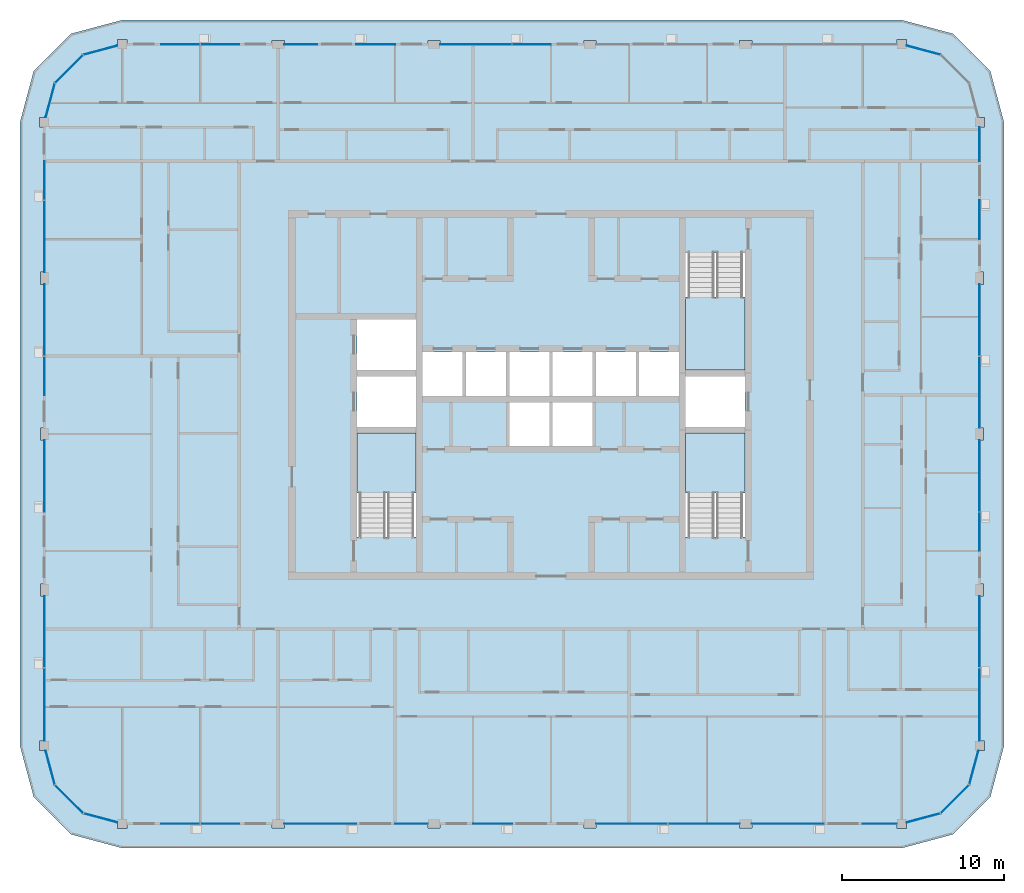
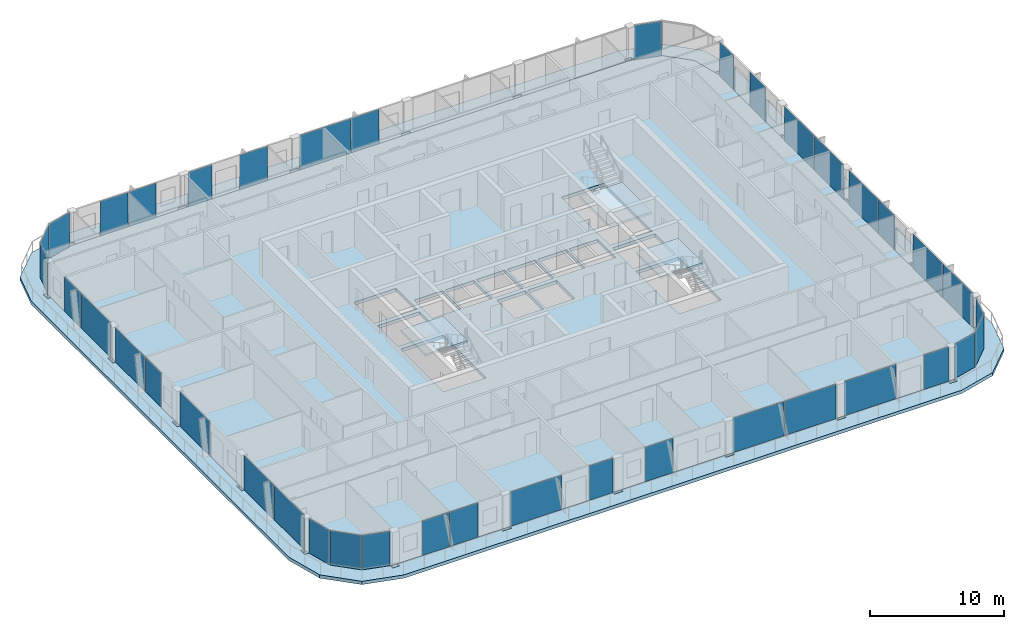
# One storey, part 7 of 22: 40 plates, 5 slabs, 23 elements without a shape of their own.
"""IFC4 building model written with IfcOpenShell, lengths in metres."""

from ifc_helpers import new_model, si_unit, direction, frame, origin, origin_2d, place, context, subcontext, project, spatial, polyline, rectangle, outline, extrude, material, layer, layer_set, type_object, element, aggregate, save


model = new_model("IFC4")

# Units and contexts
model_context = context("Model", 3, precision=1e-05, world=origin(), true_north=direction((0.0, 1.0)))
body_context = subcontext(model_context, "Body", "Model", "MODEL_VIEW")
ifc_project = project(units=[si_unit("LENGTHUNIT", "METRE"), si_unit("AREAUNIT", "SQUARE_METRE"), si_unit("VOLUMEUNIT", "CUBIC_METRE"), si_unit("PLANEANGLEUNIT", "RADIAN"), si_unit("MASSUNIT", "GRAM", prefix="KILO")], contexts=[model_context])

# Site, building, storey
site_placement = place(None, origin())
site = spatial("IfcSite", under=ifc_project, at=site_placement, CompositionType="ELEMENT")
building_placement = place(site_placement, origin())
building = spatial("IfcBuilding", under=site, at=building_placement, Name="Madar Terraces", CompositionType="ELEMENT")
storey_placement = place(building_placement, frame((0.0, 0.0, 279.10009765625)))
storey = spatial("IfcBuildingStorey", under=building, at=storey_placement, Name="L73", CompositionType="ELEMENT", Elevation=279.10009765625)

# Slabs
ifc_material_1 = material(Name="Concrete C50/60", Category="concrete")
ifc_layer_1 = layer(ifc_material_1, 0.300048828125)
ifc_layer_set_1 = layer_set([ifc_layer_1], Name="Balcony band 300")
slab_type_1 = type_object("IfcSlabType", Name="Balcony band 300", PredefinedType="FLOOR", material=ifc_layer_set_1)
slab_1_placement = place(storey_placement, frame((0.0, 0.0, -0.300048828125)))
element("IfcSlab", 1, at=slab_1_placement, inside=storey, type_object=slab_type_1, Name="Balcony band", PredefinedType="FLOOR", context=body_context, shape_type="SweptSolid", body=[
    extrude(outline(polyline([(4.800048828125, -1.5), (1.64990234375, -0.656005859375), (-0.656005859375, 1.64990234375), (-1.5, 4.800048828125), (-1.5, 43.199951171875), (-0.656005859375, 46.35009765625), (1.64990234375, 48.656005859375), (4.800048828125, 49.5), (52.800048828125, 49.5), (55.949951171875, 48.656005859375), (58.256103515625, 46.35009765625), (59.10009765625, 43.199951171875), (59.10009765625, 4.800048828125), (58.256103515625, 1.64990234375), (55.949951171875, -0.656005859375), (52.800048828125, -1.5), (4.800048828125, -1.5)]), holes=[polyline([(5.10009765625, -0.300048828125), (5.10009765625, 0.0), (14.02490234375, 0.0), (14.02490234375, -0.25), (14.77490234375, -0.25), (14.77490234375, 0.0), (23.625, 0.0), (23.625, -0.25), (24.375, -0.25), (24.375, 0.0), (33.22509765625, 0.0), (33.22509765625, -0.25), (33.97509765625, -0.25), (33.97509765625, 0.0), (42.824951171875, 0.0), (42.824951171875, -0.25), (43.574951171875, -0.25), (43.574951171875, 0.0), (52.5, 0.0), (52.5, -0.300048828125), (53.10009765625, -0.300048828125), (53.10009765625, 0.080322265625), (55.199951171875, 0.64306640625), (56.956787109375, 2.39990234375), (57.51953125, 4.5), (57.89990234375, 4.5), (57.89990234375, 5.10009765625), (57.60009765625, 5.10009765625), (57.60009765625, 14.02490234375), (57.85009765625, 14.02490234375), (57.85009765625, 14.77490234375), (57.60009765625, 14.77490234375), (57.60009765625, 23.625), (57.85009765625, 23.625), (57.85009765625, 24.375), (57.60009765625, 24.375), (57.60009765625, 33.22509765625), (57.85009765625, 33.22509765625), (57.85009765625, 33.97509765625), (57.60009765625, 33.97509765625), (57.60009765625, 42.89990234375), (57.89990234375, 42.89990234375), (57.89990234375, 43.5), (57.51953125, 43.5), (56.956787109375, 45.60009765625), (55.199951171875, 47.35693359375), (53.10009765625, 47.919677734375), (53.10009765625, 48.300048828125), (52.5, 48.300048828125), (52.5, 48.0), (43.574951171875, 48.0), (43.574951171875, 48.25), (42.824951171875, 48.25), (42.824951171875, 48.0), (33.97509765625, 48.0), (33.97509765625, 48.25), (33.22509765625, 48.25), (33.22509765625, 48.0), (24.375, 48.0), (24.375, 48.25), (23.625, 48.25), (23.625, 48.0), (14.77490234375, 48.0), (14.77490234375, 48.25), (14.02490234375, 48.25), (14.02490234375, 48.0), (5.10009765625, 48.0), (5.10009765625, 48.300048828125), (4.5, 48.300048828125), (4.5, 47.919677734375), (2.39990234375, 47.35693359375), (0.64306640625, 45.60009765625), (0.080322265625, 43.5), (-0.300048828125, 43.5), (-0.300048828125, 42.89990234375), (0.0, 42.89990234375), (0.0, 33.97509765625), (-0.25, 33.97509765625), (-0.25, 33.22509765625), (0.0, 33.22509765625), (0.0, 24.375), (-0.25, 24.375), (-0.25, 23.625), (0.0, 23.625), (0.0, 14.77490234375), (-0.25, 14.77490234375), (-0.25, 14.02490234375), (0.0, 14.02490234375), (0.0, 5.10009765625), (-0.300048828125, 5.10009765625), (-0.300048828125, 4.5), (0.080322265625, 4.5), (0.64306640625, 2.39990234375), (2.39990234375, 0.64306640625), (4.5, 0.080322265625), (4.5, -0.300048828125), (5.10009765625, -0.300048828125)])]), origin(), (0.0, 0.0, 1.0), 0.300048828125),
])
ifc_material_2 = material(Name="Concrete C50/60", Category="concrete")
ifc_layer_2 = layer(ifc_material_2, 0.300048828125)
ifc_layer_set_2 = layer_set([ifc_layer_2], Name="FS2 PT flat slab 300")
slab_type_2 = type_object("IfcSlabType", Name="FS2 PT flat slab 300", PredefinedType="FLOOR", material=ifc_layer_set_2)
slab_2_placement = place(storey_placement, frame((0.0, 0.0, -0.300048828125)))
element("IfcSlab", 2, at=slab_2_placement, inside=storey, type_object=slab_type_2, Name="Floor slab L73 (1)", PredefinedType="FLOOR", context=body_context, shape_type="SweptSolid", body=[
    extrude(outline(polyline([(52.800048828125, 0.0), (55.199951171875, 0.64306640625), (56.95703125, 2.39990234375), (57.60009765625, 4.800048828125), (57.60009765625, 43.199951171875), (56.95703125, 45.60009765625), (55.199951171875, 47.35693359375), (52.800048828125, 48.0), (4.800048828125, 48.0), (2.39990234375, 47.35693359375), (0.64306640625, 45.60009765625), (0.0, 43.199951171875), (0.0, 4.800048828125), (0.64306640625, 2.39990234375), (2.39990234375, 0.64306640625), (4.800048828125, 0.0), (52.800048828125, 0.0)]), holes=[polyline([(22.89990234375, 17.64990234375), (19.25, 17.64990234375), (19.25, 24.050048828125), (22.89990234375, 24.050048828125), (22.89990234375, 17.64990234375)]), polyline([(28.63330078125, 23.25), (28.63330078125, 25.949951171875), (31.10009765625, 25.949951171875), (31.10009765625, 23.25), (28.63330078125, 23.25)]), polyline([(19.25, 24.449951171875), (19.25, 27.550048828125), (22.89990234375, 27.550048828125), (22.89990234375, 24.449951171875), (19.25, 24.449951171875)]), polyline([(23.300048828125, 26.35009765625), (23.300048828125, 29.050048828125), (25.7666015625, 29.050048828125), (25.7666015625, 26.35009765625), (23.300048828125, 26.35009765625)]), polyline([(25.966552734375, 26.35009765625), (25.966552734375, 29.050048828125), (28.433349609375, 29.050048828125), (28.433349609375, 26.35009765625), (25.966552734375, 26.35009765625)]), polyline([(28.63330078125, 26.35009765625), (28.63330078125, 29.050048828125), (31.10009765625, 29.050048828125), (31.10009765625, 26.35009765625), (28.63330078125, 26.35009765625)]), polyline([(19.25, 27.949951171875), (19.25, 31.050048828125), (22.89990234375, 31.050048828125), (22.89990234375, 27.949951171875), (19.25, 27.949951171875)]), polyline([(43.14990234375, 17.64990234375), (39.5, 17.64990234375), (39.5, 24.050048828125), (43.14990234375, 24.050048828125), (43.14990234375, 17.64990234375)]), polyline([(31.300048828125, 23.25), (31.300048828125, 25.949951171875), (33.7666015625, 25.949951171875), (33.7666015625, 23.25), (31.300048828125, 23.25)]), polyline([(39.5, 24.449951171875), (39.5, 27.550048828125), (43.14990234375, 27.550048828125), (43.14990234375, 24.449951171875), (39.5, 24.449951171875)]), polyline([(31.300048828125, 26.35009765625), (31.300048828125, 29.050048828125), (33.7666015625, 29.050048828125), (33.7666015625, 26.35009765625), (31.300048828125, 26.35009765625)]), polyline([(33.966552734375, 26.35009765625), (33.966552734375, 29.050048828125), (36.433349609375, 29.050048828125), (36.433349609375, 26.35009765625), (33.966552734375, 26.35009765625)]), polyline([(36.63330078125, 26.35009765625), (36.63330078125, 29.050048828125), (39.10009765625, 29.050048828125), (39.10009765625, 26.35009765625), (36.63330078125, 26.35009765625)]), polyline([(39.5, 27.949951171875), (39.5, 35.14990234375), (43.14990234375, 35.14990234375), (43.14990234375, 27.949951171875), (39.5, 27.949951171875)])]), origin(), (0.0, 0.0, 1.0), 0.300048828125),
])

# Curtain wall, plates
ifc_material_3 = material(Name="Glass, ceramic frit dark grey, with black aluminium frame", Category="aluminium")
ifc_layer_3 = layer(ifc_material_3, 0.199951171875)
ifc_layer_set_3 = layer_set([ifc_layer_3], Name="Facade curtain wall, fritted glass")
curtain_wall_type = type_object("IfcCurtainWallType", Name="Facade curtain wall, fritted glass", PredefinedType="NOTDEFINED", material=ifc_layer_set_3)
curtain_wall_1_placement = place(storey_placement, origin())
curtain_wall_1 = element("IfcCurtainWall", 3, at=curtain_wall_1_placement, inside=storey, type_object=curtain_wall_type, Name="Outer skin curtain wall south bay 1", PredefinedType="NOTDEFINED")
ifc_material_4 = material(Name="Glass, ceramic frit dark grey", Category="glass")
ifc_layer_4 = layer(ifc_material_4, 0.028076171875)
ifc_layer_set_4 = layer_set([ifc_layer_4], Name="Facade glass panel 28")
plate_type = type_object("IfcPlateType", Name="Facade glass panel 28", PredefinedType="CURTAIN_PANEL", material=ifc_layer_set_4)
plate_1_placement = place(storey_placement, frame((8.385009765625, 0.0, 0.0), z_axis=(0.0, 0.0, 1.0), x_axis=(1.0, 0.0, 0.0)))
plate_1 = element("IfcPlate", 4, at=plate_1_placement, type_object=plate_type, Name="Panel 1", PredefinedType="CURTAIN_PANEL", context=body_context, shape_type="SweptSolid", body=[
    extrude(rectangle(XDim=2.3701171875, YDim=0.028076171875, at=origin_2d()), origin(), (0.0, 0.0, 1.0), 3.139892578125),
])
plate_2_placement = place(storey_placement, frame((10.81494140625, 0.0, 0.0), z_axis=(0.0, 0.0, 1.0), x_axis=(1.0, 0.0, 0.0)))
plate_2 = element("IfcPlate", 5, at=plate_2_placement, type_object=plate_type, Name="Panel 2", PredefinedType="CURTAIN_PANEL", context=body_context, shape_type="SweptSolid", body=[
    extrude(rectangle(XDim=2.3701171875, YDim=0.028076171875, at=origin_2d()), origin(), (0.0, 0.0, 1.0), 3.139892578125),
])
aggregate(curtain_wall_1, [plate_1, plate_2])

curtain_wall_2_placement = place(storey_placement, origin())
curtain_wall_2 = element("IfcCurtainWall", 6, at=curtain_wall_2_placement, inside=storey, type_object=curtain_wall_type, Name="Outer skin curtain wall south bay 2", PredefinedType="NOTDEFINED")
plate_3_placement = place(storey_placement, frame((16.987548828125, 0.0, 0.0), z_axis=(0.0, 0.0, 1.0), x_axis=(1.0, 0.0, 0.0)))
plate_3 = element("IfcPlate", 7, at=plate_3_placement, type_object=plate_type, Name="Panel 1", PredefinedType="CURTAIN_PANEL", context=body_context, shape_type="SweptSolid", body=[
    extrude(rectangle(XDim=4.425048828125, YDim=0.028076171875, at=origin_2d()), origin(), (0.0, 0.0, 1.0), 3.139892578125),
])
plate_4_placement = place(storey_placement, frame((22.612548828125, 0.0, 0.0), z_axis=(0.0, 0.0, 1.0), x_axis=(1.0, 0.0, 0.0)))
plate_4 = element("IfcPlate", 8, at=plate_4_placement, type_object=plate_type, Name="Panel 2", PredefinedType="CURTAIN_PANEL", context=body_context, shape_type="SweptSolid", body=[
    extrude(rectangle(XDim=2.02490234375, YDim=0.028076171875, at=origin_2d()), origin(), (0.0, 0.0, 1.0), 3.139892578125),
])
aggregate(curtain_wall_2, [plate_3, plate_4])

# Curtain wall, plate
curtain_wall_3_placement = place(storey_placement, origin())
curtain_wall_3 = element("IfcCurtainWall", 9, at=curtain_wall_3_placement, inside=storey, type_object=curtain_wall_type, Name="Outer skin curtain wall south bay 3", PredefinedType="NOTDEFINED")
plate_5_placement = place(storey_placement, frame((27.60009765625, 0.0, 0.0), z_axis=(0.0, 0.0, 1.0), x_axis=(1.0, 0.0, 0.0)))
plate_5 = element("IfcPlate", 10, at=plate_5_placement, type_object=plate_type, Name="Panel 1", PredefinedType="CURTAIN_PANEL", context=body_context, shape_type="SweptSolid", body=[
    extrude(rectangle(XDim=2.39990234375, YDim=0.028076171875, at=origin_2d()), origin(), (0.0, 0.0, 1.0), 3.139892578125),
])
aggregate(curtain_wall_3, [plate_5])

# Curtain wall, plates
curtain_wall_4_placement = place(storey_placement, origin())
curtain_wall_4 = element("IfcCurtainWall", 11, at=curtain_wall_4_placement, inside=storey, type_object=curtain_wall_type, Name="Outer skin curtain wall south bay 4", PredefinedType="NOTDEFINED")
plate_6_placement = place(storey_placement, frame((36.172607421875, 0.0, 0.0), z_axis=(0.0, 0.0, 1.0), x_axis=(1.0, 0.0, 0.0)))
plate_6 = element("IfcPlate", 12, at=plate_6_placement, type_object=plate_type, Name="Panel 1", PredefinedType="CURTAIN_PANEL", context=body_context, shape_type="SweptSolid", body=[
    extrude(rectangle(XDim=4.39501953125, YDim=0.028076171875, at=origin_2d()), origin(), (0.0, 0.0, 1.0), 3.139892578125),
])
plate_7_placement = place(storey_placement, frame((40.62744140625, 0.0, 0.0), z_axis=(0.0, 0.0, 1.0), x_axis=(1.0, 0.0, 0.0)))
plate_7 = element("IfcPlate", 13, at=plate_7_placement, type_object=plate_type, Name="Panel 2", PredefinedType="CURTAIN_PANEL", context=body_context, shape_type="SweptSolid", body=[
    extrude(rectangle(XDim=4.39501953125, YDim=0.028076171875, at=origin_2d()), origin(), (0.0, 0.0, 1.0), 3.139892578125),
])
aggregate(curtain_wall_4, [plate_6, plate_7])

curtain_wall_5_placement = place(storey_placement, origin())
curtain_wall_5 = element("IfcCurtainWall", 14, at=curtain_wall_5_placement, inside=storey, type_object=curtain_wall_type, Name="Outer skin curtain wall south bay 5", PredefinedType="NOTDEFINED")
plate_8_placement = place(storey_placement, frame((45.78759765625, 0.0, 0.0), z_axis=(0.0, 0.0, 1.0), x_axis=(1.0, 0.0, 0.0)))
plate_8 = element("IfcPlate", 15, at=plate_8_placement, type_object=plate_type, Name="Panel 1", PredefinedType="CURTAIN_PANEL", context=body_context, shape_type="SweptSolid", body=[
    extrude(rectangle(XDim=4.425048828125, YDim=0.028076171875, at=origin_2d()), origin(), (0.0, 0.0, 1.0), 3.139892578125),
])
plate_9_placement = place(storey_placement, frame((51.449951171875, 0.0, 0.0), z_axis=(0.0, 0.0, 1.0), x_axis=(1.0, 0.0, 0.0)))
plate_9 = element("IfcPlate", 16, at=plate_9_placement, type_object=plate_type, Name="Panel 2", PredefinedType="CURTAIN_PANEL", context=body_context, shape_type="SweptSolid", body=[
    extrude(rectangle(XDim=2.10009765625, YDim=0.028076171875, at=origin_2d()), origin(), (0.0, 0.0, 1.0), 3.139892578125),
])
aggregate(curtain_wall_5, [plate_8, plate_9])

curtain_wall_6_placement = place(storey_placement, origin())
curtain_wall_6 = element("IfcCurtainWall", 17, at=curtain_wall_6_placement, inside=storey, type_object=curtain_wall_type, Name="Outer skin curtain wall east bay 1", PredefinedType="NOTDEFINED")
plate_10_placement = place(storey_placement, frame((57.60009765625, 7.3349609375, 0.0), z_axis=(0.0, 0.0, 1.0), x_axis=(0.0, 1.0, 0.0)))
plate_10 = element("IfcPlate", 18, at=plate_10_placement, type_object=plate_type, Name="Panel 1", PredefinedType="CURTAIN_PANEL", context=body_context, shape_type="SweptSolid", body=[
    extrude(rectangle(XDim=4.469970703125, YDim=0.028076171875, at=origin_2d()), origin(), (0.0, 0.0, 1.0), 3.139892578125),
])
plate_11_placement = place(storey_placement, frame((57.60009765625, 11.827392578125, 0.0), z_axis=(0.0, 0.0, 1.0), x_axis=(0.0, 1.0, 0.0)))
plate_11 = element("IfcPlate", 19, at=plate_11_placement, type_object=plate_type, Name="Panel 2", PredefinedType="CURTAIN_PANEL", context=body_context, shape_type="SweptSolid", body=[
    extrude(rectangle(XDim=4.39501953125, YDim=0.028076171875, at=origin_2d()), origin(), (0.0, 0.0, 1.0), 3.139892578125),
])
aggregate(curtain_wall_6, [plate_10, plate_11])

curtain_wall_7_placement = place(storey_placement, origin())
curtain_wall_7 = element("IfcCurtainWall", 20, at=curtain_wall_7_placement, inside=storey, type_object=curtain_wall_type, Name="Outer skin curtain wall east bay 2", PredefinedType="NOTDEFINED")
plate_12_placement = place(storey_placement, frame((57.60009765625, 17.985107421875, 0.0), z_axis=(0.0, 0.0, 1.0), x_axis=(0.0, 1.0, 0.0)))
plate_12 = element("IfcPlate", 21, at=plate_12_placement, type_object=plate_type, Name="Panel 1", PredefinedType="CURTAIN_PANEL", context=body_context, shape_type="SweptSolid", body=[
    extrude(rectangle(XDim=2.3701171875, YDim=0.028076171875, at=origin_2d()), origin(), (0.0, 0.0, 1.0), 3.139892578125),
])
plate_13_placement = place(storey_placement, frame((57.60009765625, 21.427490234375, 0.0), z_axis=(0.0, 0.0, 1.0), x_axis=(0.0, 1.0, 0.0)))
plate_13 = element("IfcPlate", 22, at=plate_13_placement, type_object=plate_type, Name="Panel 2", PredefinedType="CURTAIN_PANEL", context=body_context, shape_type="SweptSolid", body=[
    extrude(rectangle(XDim=4.39501953125, YDim=0.028076171875, at=origin_2d()), origin(), (0.0, 0.0, 1.0), 3.139892578125),
])
aggregate(curtain_wall_7, [plate_12, plate_13])

curtain_wall_8_placement = place(storey_placement, origin())
curtain_wall_8 = element("IfcCurtainWall", 23, at=curtain_wall_8_placement, inside=storey, type_object=curtain_wall_type, Name="Outer skin curtain wall east bay 3", PredefinedType="NOTDEFINED")
plate_14_placement = place(storey_placement, frame((57.60009765625, 26.572509765625, 0.0), z_axis=(0.0, 0.0, 1.0), x_axis=(0.0, 1.0, 0.0)))
plate_14 = element("IfcPlate", 24, at=plate_14_placement, type_object=plate_type, Name="Panel 1", PredefinedType="CURTAIN_PANEL", context=body_context, shape_type="SweptSolid", body=[
    extrude(rectangle(XDim=4.39501953125, YDim=0.028076171875, at=origin_2d()), origin(), (0.0, 0.0, 1.0), 3.139892578125),
])
plate_15_placement = place(storey_placement, frame((57.60009765625, 31.027587890625, 0.0), z_axis=(0.0, 0.0, 1.0), x_axis=(0.0, 1.0, 0.0)))
plate_15 = element("IfcPlate", 25, at=plate_15_placement, type_object=plate_type, Name="Panel 2", PredefinedType="CURTAIN_PANEL", context=body_context, shape_type="SweptSolid", body=[
    extrude(rectangle(XDim=4.39501953125, YDim=0.028076171875, at=origin_2d()), origin(), (0.0, 0.0, 1.0), 3.139892578125),
])
aggregate(curtain_wall_8, [plate_14, plate_15])

curtain_wall_9_placement = place(storey_placement, origin())
curtain_wall_9 = element("IfcCurtainWall", 26, at=curtain_wall_9_placement, inside=storey, type_object=curtain_wall_type, Name="Outer skin curtain wall east bay 4", PredefinedType="NOTDEFINED")
plate_16_placement = place(storey_placement, frame((57.60009765625, 37.199951171875, 0.0), z_axis=(0.0, 0.0, 1.0), x_axis=(0.0, 1.0, 0.0)))
plate_16 = element("IfcPlate", 27, at=plate_16_placement, type_object=plate_type, Name="Panel 1", PredefinedType="CURTAIN_PANEL", context=body_context, shape_type="SweptSolid", body=[
    extrude(rectangle(XDim=2.39990234375, YDim=0.028076171875, at=origin_2d()), origin(), (0.0, 0.0, 1.0), 3.139892578125),
])
plate_17_placement = place(storey_placement, frame((57.60009765625, 41.85009765625, 0.0), z_axis=(0.0, 0.0, 1.0), x_axis=(0.0, 1.0, 0.0)))
plate_17 = element("IfcPlate", 28, at=plate_17_placement, type_object=plate_type, Name="Panel 2", PredefinedType="CURTAIN_PANEL", context=body_context, shape_type="SweptSolid", body=[
    extrude(rectangle(XDim=2.10009765625, YDim=0.028076171875, at=origin_2d()), origin(), (0.0, 0.0, 1.0), 3.139892578125),
])
aggregate(curtain_wall_9, [plate_16, plate_17])

curtain_wall_10_placement = place(storey_placement, origin())
curtain_wall_10 = element("IfcCurtainWall", 29, at=curtain_wall_10_placement, inside=storey, type_object=curtain_wall_type, Name="Outer skin curtain wall north bay 3", PredefinedType="NOTDEFINED")
plate_18_placement = place(storey_placement, frame((30.014892578125, 48.0, 0.0), z_axis=(0.0, 0.0, 1.0), x_axis=(-1.0, 0.0, 0.0)))
plate_18 = element("IfcPlate", 30, at=plate_18_placement, type_object=plate_type, Name="Panel 1", PredefinedType="CURTAIN_PANEL", context=body_context, shape_type="SweptSolid", body=[
    extrude(rectangle(XDim=2.3701171875, YDim=0.028076171875, at=origin_2d()), origin(), (0.0, 0.0, 1.0), 3.139892578125),
])
plate_19_placement = place(storey_placement, frame((26.572509765625, 48.0, 0.0), z_axis=(0.0, 0.0, 1.0), x_axis=(-1.0, 0.0, 0.0)))
plate_19 = element("IfcPlate", 31, at=plate_19_placement, type_object=plate_type, Name="Panel 2", PredefinedType="CURTAIN_PANEL", context=body_context, shape_type="SweptSolid", body=[
    extrude(rectangle(XDim=4.39501953125, YDim=0.028076171875, at=origin_2d()), origin(), (0.0, 0.0, 1.0), 3.139892578125),
])
aggregate(curtain_wall_10, [plate_18, plate_19])

curtain_wall_11_placement = place(storey_placement, origin())
curtain_wall_11 = element("IfcCurtainWall", 32, at=curtain_wall_11_placement, inside=storey, type_object=curtain_wall_type, Name="Outer skin curtain wall north bay 4", PredefinedType="NOTDEFINED")
plate_20_placement = place(storey_placement, frame((20.39990234375, 48.0, 0.0), z_axis=(0.0, 0.0, 1.0), x_axis=(-1.0, 0.0, 0.0)))
plate_20 = element("IfcPlate", 33, at=plate_20_placement, type_object=plate_type, Name="Panel 1", PredefinedType="CURTAIN_PANEL", context=body_context, shape_type="SweptSolid", body=[
    extrude(rectangle(XDim=2.39990234375, YDim=0.028076171875, at=origin_2d()), origin(), (0.0, 0.0, 1.0), 3.139892578125),
])
plate_21_placement = place(storey_placement, frame((15.78759765625, 48.0, 0.0), z_axis=(0.0, 0.0, 1.0), x_axis=(-1.0, 0.0, 0.0)))
plate_21 = element("IfcPlate", 34, at=plate_21_placement, type_object=plate_type, Name="Panel 2", PredefinedType="CURTAIN_PANEL", context=body_context, shape_type="SweptSolid", body=[
    extrude(rectangle(XDim=2.02490234375, YDim=0.028076171875, at=origin_2d()), origin(), (0.0, 0.0, 1.0), 3.139892578125),
])
aggregate(curtain_wall_11, [plate_20, plate_21])

curtain_wall_12_placement = place(storey_placement, origin())
curtain_wall_12 = element("IfcCurtainWall", 35, at=curtain_wall_12_placement, inside=storey, type_object=curtain_wall_type, Name="Outer skin curtain wall north bay 5", PredefinedType="NOTDEFINED")
plate_22_placement = place(storey_placement, frame((10.81494140625, 48.0, 0.0), z_axis=(0.0, 0.0, 1.0), x_axis=(-1.0, 0.0, 0.0)))
plate_22 = element("IfcPlate", 36, at=plate_22_placement, type_object=plate_type, Name="Panel 1", PredefinedType="CURTAIN_PANEL", context=body_context, shape_type="SweptSolid", body=[
    extrude(rectangle(XDim=2.3701171875, YDim=0.028076171875, at=origin_2d()), origin(), (0.0, 0.0, 1.0), 3.139892578125),
])
plate_23_placement = place(storey_placement, frame((8.385009765625, 48.0, 0.0), z_axis=(0.0, 0.0, 1.0), x_axis=(-1.0, 0.0, 0.0)))
plate_23 = element("IfcPlate", 37, at=plate_23_placement, type_object=plate_type, Name="Panel 2", PredefinedType="CURTAIN_PANEL", context=body_context, shape_type="SweptSolid", body=[
    extrude(rectangle(XDim=2.3701171875, YDim=0.028076171875, at=origin_2d()), origin(), (0.0, 0.0, 1.0), 3.139892578125),
])
aggregate(curtain_wall_12, [plate_22, plate_23])

curtain_wall_13_placement = place(storey_placement, origin())
curtain_wall_13 = element("IfcCurtainWall", 38, at=curtain_wall_13_placement, inside=storey, type_object=curtain_wall_type, Name="Outer skin curtain wall west bay 1", PredefinedType="NOTDEFINED")
plate_24_placement = place(storey_placement, frame((0.0, 39.614990234375, 0.0), z_axis=(0.0, 0.0, 1.0), x_axis=(0.0, -1.0, 0.0)))
plate_24 = element("IfcPlate", 39, at=plate_24_placement, type_object=plate_type, Name="Panel 1", PredefinedType="CURTAIN_PANEL", context=body_context, shape_type="SweptSolid", body=[
    extrude(rectangle(XDim=2.3701171875, YDim=0.028076171875, at=origin_2d()), origin(), (0.0, 0.0, 1.0), 3.139892578125),
])
plate_25_placement = place(storey_placement, frame((0.0, 36.172607421875, 0.0), z_axis=(0.0, 0.0, 1.0), x_axis=(0.0, -1.0, 0.0)))
plate_25 = element("IfcPlate", 40, at=plate_25_placement, type_object=plate_type, Name="Panel 2", PredefinedType="CURTAIN_PANEL", context=body_context, shape_type="SweptSolid", body=[
    extrude(rectangle(XDim=4.39501953125, YDim=0.028076171875, at=origin_2d()), origin(), (0.0, 0.0, 1.0), 3.139892578125),
])
aggregate(curtain_wall_13, [plate_24, plate_25])

curtain_wall_14_placement = place(storey_placement, origin())
curtain_wall_14 = element("IfcCurtainWall", 41, at=curtain_wall_14_placement, inside=storey, type_object=curtain_wall_type, Name="Outer skin curtain wall west bay 2", PredefinedType="NOTDEFINED")
plate_26_placement = place(storey_placement, frame((0.0, 31.027587890625, 0.0), z_axis=(0.0, 0.0, 1.0), x_axis=(0.0, -1.0, 0.0)))
plate_26 = element("IfcPlate", 42, at=plate_26_placement, type_object=plate_type, Name="Panel 1", PredefinedType="CURTAIN_PANEL", context=body_context, shape_type="SweptSolid", body=[
    extrude(rectangle(XDim=4.39501953125, YDim=0.028076171875, at=origin_2d()), origin(), (0.0, 0.0, 1.0), 3.139892578125),
])
plate_27_placement = place(storey_placement, frame((0.0, 27.5849609375, 0.0), z_axis=(0.0, 0.0, 1.0), x_axis=(0.0, -1.0, 0.0)))
plate_27 = element("IfcPlate", 43, at=plate_27_placement, type_object=plate_type, Name="Panel 2", PredefinedType="CURTAIN_PANEL", context=body_context, shape_type="SweptSolid", body=[
    extrude(rectangle(XDim=2.3701171875, YDim=0.028076171875, at=origin_2d()), origin(), (0.0, 0.0, 1.0), 3.139892578125),
])
aggregate(curtain_wall_14, [plate_26, plate_27])

# Curtain wall, plate
curtain_wall_15_placement = place(storey_placement, origin())
curtain_wall_15 = element("IfcCurtainWall", 44, at=curtain_wall_15_placement, inside=storey, type_object=curtain_wall_type, Name="Outer skin curtain wall west bay 3", PredefinedType="NOTDEFINED")
plate_28_placement = place(storey_placement, frame((0.0, 21.41259765625, 0.0), z_axis=(0.0, 0.0, 1.0), x_axis=(0.0, -1.0, 0.0)))
plate_28 = element("IfcPlate", 45, at=plate_28_placement, type_object=plate_type, Name="Panel 1", PredefinedType="CURTAIN_PANEL", context=body_context, shape_type="SweptSolid", body=[
    extrude(rectangle(XDim=4.425048828125, YDim=0.028076171875, at=origin_2d()), origin(), (0.0, 0.0, 1.0), 3.139892578125),
])
aggregate(curtain_wall_15, [plate_28])

# Curtain wall, plates
curtain_wall_16_placement = place(storey_placement, origin())
curtain_wall_16 = element("IfcCurtainWall", 46, at=curtain_wall_16_placement, inside=storey, type_object=curtain_wall_type, Name="Outer skin curtain wall west bay 4", PredefinedType="NOTDEFINED")
plate_29_placement = place(storey_placement, frame((0.0, 11.827392578125, 0.0), z_axis=(0.0, 0.0, 1.0), x_axis=(0.0, -1.0, 0.0)))
plate_29 = element("IfcPlate", 47, at=plate_29_placement, type_object=plate_type, Name="Panel 1", PredefinedType="CURTAIN_PANEL", context=body_context, shape_type="SweptSolid", body=[
    extrude(rectangle(XDim=4.39501953125, YDim=0.028076171875, at=origin_2d()), origin(), (0.0, 0.0, 1.0), 3.139892578125),
])
plate_30_placement = place(storey_placement, frame((0.0, 7.3349609375, 0.0), z_axis=(0.0, 0.0, 1.0), x_axis=(0.0, -1.0, 0.0)))
plate_30 = element("IfcPlate", 48, at=plate_30_placement, type_object=plate_type, Name="Panel 2", PredefinedType="CURTAIN_PANEL", context=body_context, shape_type="SweptSolid", body=[
    extrude(rectangle(XDim=4.469970703125, YDim=0.028076171875, at=origin_2d()), origin(), (0.0, 0.0, 1.0), 3.139892578125),
])
aggregate(curtain_wall_16, [plate_29, plate_30])

curtain_wall_17_placement = place(storey_placement, origin())
curtain_wall_17 = element("IfcCurtainWall", 49, at=curtain_wall_17_placement, inside=storey, type_object=curtain_wall_type, Name="Outer skin curtain wall south-east corner", PredefinedType="NOTDEFINED")
plate_31_placement = place(storey_placement, frame((54.135498046875, 0.35791015625, 0.0), z_axis=(0.0, 0.0, 1.0), x_axis=(0.965925832509, 0.258819021888, 0.0)))
plate_31 = element("IfcPlate", 50, at=plate_31_placement, type_object=plate_type, Name="Panel 1", PredefinedType="CURTAIN_PANEL", context=body_context, shape_type="SweptSolid", body=[
    extrude(rectangle(XDim=2.14404296875, YDim=0.028076171875, at=origin_2d()), origin(), (0.0, 0.0, 1.0), 3.139892578125),
])
plate_32_placement = place(storey_placement, frame((56.078369140625, 1.521484375, 0.0), z_axis=(0.0, 0.0, 1.0), x_axis=(0.707106781187, 0.707106781187, 0.0)))
plate_32 = element("IfcPlate", 51, at=plate_32_placement, type_object=plate_type, Name="Panel 2", PredefinedType="CURTAIN_PANEL", context=body_context, shape_type="SweptSolid", body=[
    extrude(rectangle(XDim=2.424560546875, YDim=0.028076171875, at=origin_2d()), origin(), (0.0, 0.0, 1.0), 3.139892578125),
])
plate_33_placement = place(storey_placement, frame((57.2421875, 3.464599609375, 0.0), z_axis=(0.0, 0.0, 1.0), x_axis=(0.258819021888, 0.965925832509, 0.0)))
plate_33 = element("IfcPlate", 52, at=plate_33_placement, type_object=plate_type, Name="Panel 3", PredefinedType="CURTAIN_PANEL", context=body_context, shape_type="SweptSolid", body=[
    extrude(rectangle(XDim=2.14404296875, YDim=0.028076171875, at=origin_2d()), origin(), (0.0, 0.0, 1.0), 3.139892578125),
])
aggregate(curtain_wall_17, [plate_31, plate_32, plate_33])

# Curtain wall, plate
curtain_wall_18_placement = place(storey_placement, origin())
curtain_wall_18 = element("IfcCurtainWall", 53, at=curtain_wall_18_placement, inside=storey, type_object=curtain_wall_type, Name="Outer skin curtain wall north-east corner", PredefinedType="NOTDEFINED")
plate_34_placement = place(storey_placement, frame((54.135498046875, 47.64208984375, 0.0), z_axis=(0.0, 0.0, 1.0), x_axis=(-0.965925832509, 0.258819021888, 0.0)))
plate_34 = element("IfcPlate", 54, at=plate_34_placement, type_object=plate_type, Name="Panel 3", PredefinedType="CURTAIN_PANEL", context=body_context, shape_type="SweptSolid", body=[
    extrude(rectangle(XDim=2.14404296875, YDim=0.028076171875, at=origin_2d()), origin(), (0.0, 0.0, 1.0), 3.139892578125),
])
aggregate(curtain_wall_18, [plate_34])

# Curtain wall, plates
curtain_wall_19_placement = place(storey_placement, origin())
curtain_wall_19 = element("IfcCurtainWall", 55, at=curtain_wall_19_placement, inside=storey, type_object=curtain_wall_type, Name="Outer skin curtain wall north-west corner", PredefinedType="NOTDEFINED")
plate_35_placement = place(storey_placement, frame((3.464599609375, 47.64208984375, 0.0), z_axis=(0.0, 0.0, 1.0), x_axis=(-0.965925832509, -0.258819021888, 0.0)))
plate_35 = element("IfcPlate", 56, at=plate_35_placement, type_object=plate_type, Name="Panel 1", PredefinedType="CURTAIN_PANEL", context=body_context, shape_type="SweptSolid", body=[
    extrude(rectangle(XDim=2.14404296875, YDim=0.028076171875, at=origin_2d()), origin(), (0.0, 0.0, 1.0), 3.139892578125),
])
plate_36_placement = place(storey_placement, frame((1.521484375, 46.478515625, 0.0), z_axis=(0.0, 0.0, 1.0), x_axis=(-0.707106781187, -0.707106781187, 0.0)))
plate_36 = element("IfcPlate", 57, at=plate_36_placement, type_object=plate_type, Name="Panel 2", PredefinedType="CURTAIN_PANEL", context=body_context, shape_type="SweptSolid", body=[
    extrude(rectangle(XDim=2.424560546875, YDim=0.028076171875, at=origin_2d()), origin(), (0.0, 0.0, 1.0), 3.139892578125),
])
plate_37_placement = place(storey_placement, frame((0.35791015625, 44.535400390625, 0.0), z_axis=(0.0, 0.0, 1.0), x_axis=(-0.258819021888, -0.965925832509, 0.0)))
plate_37 = element("IfcPlate", 58, at=plate_37_placement, type_object=plate_type, Name="Panel 3", PredefinedType="CURTAIN_PANEL", context=body_context, shape_type="SweptSolid", body=[
    extrude(rectangle(XDim=2.14404296875, YDim=0.028076171875, at=origin_2d()), origin(), (0.0, 0.0, 1.0), 3.139892578125),
])
aggregate(curtain_wall_19, [plate_35, plate_36, plate_37])

curtain_wall_20_placement = place(storey_placement, origin())
curtain_wall_20 = element("IfcCurtainWall", 59, at=curtain_wall_20_placement, inside=storey, type_object=curtain_wall_type, Name="Outer skin curtain wall south-west corner", PredefinedType="NOTDEFINED")
plate_38_placement = place(storey_placement, frame((0.35791015625, 3.464599609375, 0.0), z_axis=(0.0, 0.0, 1.0), x_axis=(0.258819021888, -0.965925832509, 0.0)))
plate_38 = element("IfcPlate", 60, at=plate_38_placement, type_object=plate_type, Name="Panel 1", PredefinedType="CURTAIN_PANEL", context=body_context, shape_type="SweptSolid", body=[
    extrude(rectangle(XDim=2.14404296875, YDim=0.028076171875, at=origin_2d()), origin(), (0.0, 0.0, 1.0), 3.139892578125),
])
plate_39_placement = place(storey_placement, frame((1.521484375, 1.521484375, 0.0), z_axis=(0.0, 0.0, 1.0), x_axis=(0.707106781187, -0.707106781187, 0.0)))
plate_39 = element("IfcPlate", 61, at=plate_39_placement, type_object=plate_type, Name="Panel 2", PredefinedType="CURTAIN_PANEL", context=body_context, shape_type="SweptSolid", body=[
    extrude(rectangle(XDim=2.424560546875, YDim=0.028076171875, at=origin_2d()), origin(), (0.0, 0.0, 1.0), 3.139892578125),
])
plate_40_placement = place(storey_placement, frame((3.464599609375, 0.35791015625, 0.0), z_axis=(0.0, 0.0, 1.0), x_axis=(0.965925832509, -0.258819021888, 0.0)))
plate_40 = element("IfcPlate", 62, at=plate_40_placement, type_object=plate_type, Name="Panel 3", PredefinedType="CURTAIN_PANEL", context=body_context, shape_type="SweptSolid", body=[
    extrude(rectangle(XDim=2.14404296875, YDim=0.028076171875, at=origin_2d()), origin(), (0.0, 0.0, 1.0), 3.139892578125),
])
aggregate(curtain_wall_20, [plate_38, plate_39, plate_40])

# Stair, slab
ifc_material_5 = material(Name="Concrete C50/60", Category="concrete")
stair_type_1 = type_object("IfcStairType", Name="Stair ST1 protected exit", PredefinedType="HALF_TURN_STAIR", material=ifc_material_5)
stair_1_placement = place(storey_placement, origin())
stair_1 = element("IfcStair", 63, at=stair_1_placement, inside=storey, type_object=stair_type_1, Name="L73 Protected Exit Stair ST1", PredefinedType="HALF_TURN_STAIR")
ifc_material_6 = material(Name="Concrete C50/60", Category="concrete")
ifc_layer_5 = layer(ifc_material_6, 0.199951171875)
ifc_layer_set_5 = layer_set([ifc_layer_5], Name="Stair landing 200, top +1.75")
slab_type_3 = type_object("IfcSlabType", Name="Stair landing 200, top +1.75", PredefinedType="LANDING", material=ifc_layer_set_5)
slab_3_placement = place(storey_placement, frame((0.0, 0.0, 1.5498046875)))
slab_3 = element("IfcSlab", 64, at=slab_3_placement, type_object=slab_type_3, Name="ST1 landing 1", PredefinedType="LANDING", context=body_context, shape_type="SweptSolid", body=[
    extrude(outline(polyline([(19.25, 20.360107421875), (22.89990234375, 20.360107421875), (22.89990234375, 24.050048828125), (19.25, 24.050048828125), (19.25, 20.360107421875)])), origin(), (0.0, 0.0, 1.0), 0.2001953125),
])
aggregate(stair_1, [slab_3])

ifc_material_7 = material(Name="Concrete C50/60", Category="concrete")
stair_type_2 = type_object("IfcStairType", Name="Stair ST2 protected exit", PredefinedType="HALF_TURN_STAIR", material=ifc_material_7)
stair_2_placement = place(storey_placement, origin())
stair_2 = element("IfcStair", 65, at=stair_2_placement, inside=storey, type_object=stair_type_2, Name="L73 Protected Exit Stair ST2", PredefinedType="HALF_TURN_STAIR")
slab_4_placement = place(storey_placement, frame((0.0, 0.0, 1.5498046875)))
slab_4 = element("IfcSlab", 66, at=slab_4_placement, type_object=slab_type_3, Name="ST2 landing 1", PredefinedType="LANDING", context=body_context, shape_type="SweptSolid", body=[
    extrude(outline(polyline([(39.5, 27.949951171875), (43.14990234375, 27.949951171875), (43.14990234375, 32.43994140625), (39.5, 32.43994140625), (39.5, 27.949951171875)])), origin(), (0.0, 0.0, 1.0), 0.2001953125),
])
aggregate(stair_2, [slab_4])

ifc_material_8 = material(Name="Concrete C50/60", Category="concrete")
stair_type_3 = type_object("IfcStairType", Name="Stair ST3 protected exit", PredefinedType="HALF_TURN_STAIR", material=ifc_material_8)
stair_3_placement = place(storey_placement, origin())
stair_3 = element("IfcStair", 67, at=stair_3_placement, inside=storey, type_object=stair_type_3, Name="L73 Protected Exit Stair ST3", PredefinedType="HALF_TURN_STAIR")
slab_5_placement = place(storey_placement, frame((0.0, 0.0, 1.5498046875)))
slab_5 = element("IfcSlab", 68, at=slab_5_placement, type_object=slab_type_3, Name="ST3 landing 1", PredefinedType="LANDING", context=body_context, shape_type="SweptSolid", body=[
    extrude(outline(polyline([(39.5, 20.360107421875), (43.14990234375, 20.360107421875), (43.14990234375, 24.050048828125), (39.5, 24.050048828125), (39.5, 20.360107421875)])), origin(), (0.0, 0.0, 1.0), 0.2001953125),
])
aggregate(stair_3, [slab_5])

save(model, "model.ifc")
